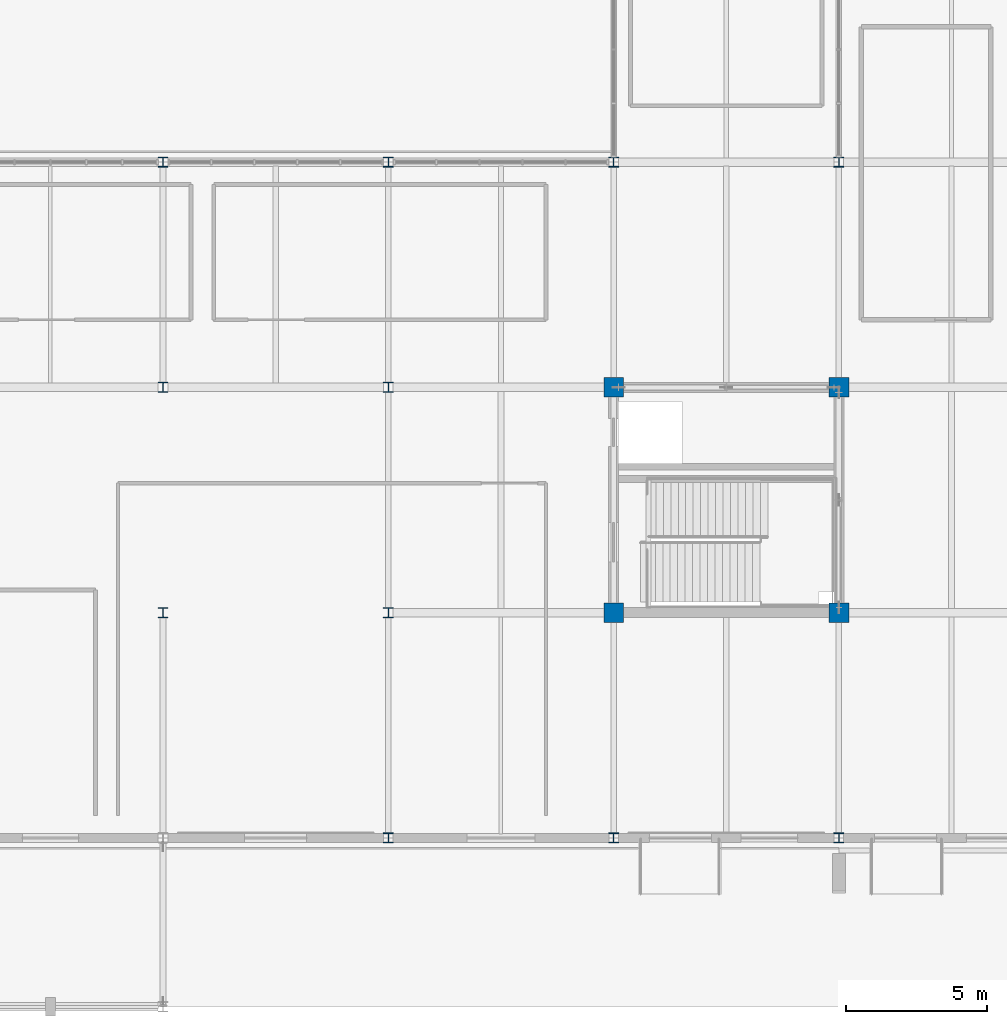
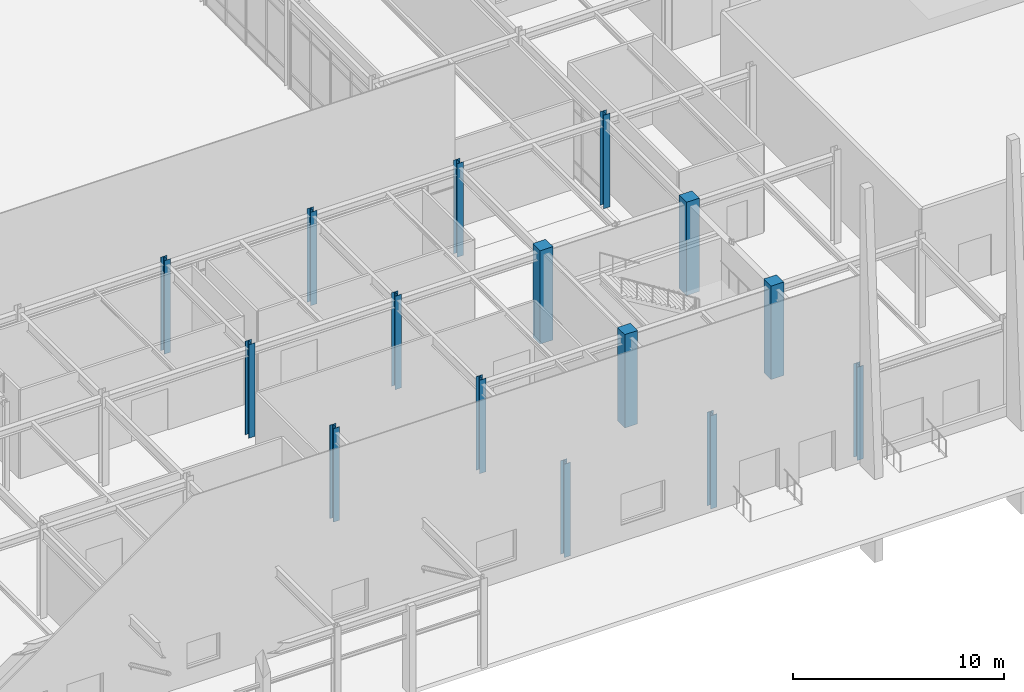
# One storey, part 7 of 119: 15 columns.
"""IFC4 building model written with IfcOpenShell, lengths in metres."""

from ifc_helpers import new_model, si_unit, direction, frame, origin, origin_2d, place, context, subcontext, project, spatial, rectangle, i_section, extrude, material, material_profile, profile_set, type_object, element, save


model = new_model("IFC4")

# Units and contexts
model_context = context("Model", 3, precision=1e-05, world=origin(), true_north=direction((0.0, 1.0)))
body_context = subcontext(model_context, "Body", "Model", "MODEL_VIEW")
ifc_project = project(units=[si_unit("LENGTHUNIT", "METRE"), si_unit("AREAUNIT", "SQUARE_METRE"), si_unit("VOLUMEUNIT", "CUBIC_METRE"), si_unit("PLANEANGLEUNIT", "RADIAN"), si_unit("MASSUNIT", "GRAM", prefix="KILO")], contexts=[model_context])

# Site, building, storey
site_placement = place(None, origin())
site = spatial("IfcSite", under=ifc_project, at=site_placement, CompositionType="ELEMENT")
building_placement = place(site_placement, origin())
building = spatial("IfcBuilding", under=site, at=building_placement, Name="Zhaolan Boulevard Law Courts", CompositionType="ELEMENT")
storey_placement = place(building_placement, origin())
storey = spatial("IfcBuildingStorey", under=building, at=storey_placement, Name="L00", CompositionType="ELEMENT", Elevation=0.0)

# Columns
ifc_material_1 = material(Name="Structural steel Q355B", Category="steel")
ifc_material_profile_1 = material_profile(ifc_material_1, i_section(OverallWidth=0.35009765625, OverallDepth=0.35009765625, WebThickness=0.011962890625, FlangeThickness=0.01904296875, FilletRadius=0.02001953125, at=origin_2d()), Name="HW350x350")
ifc_profile_set_1 = profile_set([ifc_material_profile_1], Name="Structural steel Q355B")
column_type_1 = type_object("IfcColumnType", Name="COL HW350", PredefinedType="COLUMN", material=ifc_profile_set_1)
for number, where, z_axis, x_axis, name in (
    (1, (100.0, 14.0, 0.0), (0.0, 0.0, 1.0), (1.0, 0.0, 0.0), "Column C-13C (L00)"),
    (2, (100.0, 22.0, 0.0), (0.0, 0.0, 1.0), (1.0, 0.0, 0.0), "Column C-13D (L00)"),
    (3, (100.0, 30.0, 0.0), (0.0, 0.0, 1.0), (1.0, 0.0, 0.0), "Column C-13E (L00)"),
    (4, (108.0, 6.0, 0.0), (0.0, 0.0, 1.0), (1.0, 0.0, 0.0), "Column C-14B (L00)"),
    (5, (108.0, 14.0, 0.0), (0.0, 0.0, 1.0), (1.0, 0.0, 0.0), "Column C-14C (L00)"),
    (6, (108.0, 22.0, 0.0), (0.0, 0.0, 1.0), (1.0, 0.0, 0.0), "Column C-14D (L00)"),
    (7, (108.0, 30.0, 0.0), (0.0, 0.0, 1.0), (1.0, 0.0, 0.0), "Column C-14E (L00)"),
    (8, (116.0, 6.0, 0.0), (0.0, 0.0, 1.0), (1.0, 0.0, 0.0), "Column C-15B (L00)"),
    (9, (116.0, 30.0, 0.0), (0.0, 0.0, 1.0), (1.0, 0.0, 0.0), "Column C-15E (L00)"),
    (10, (124.0, 6.0, 0.0), (0.0, 0.0, 1.0), (1.0, 0.0, 0.0), "Column C-16B (L00)"),
    (11, (124.0, 30.0, 0.0), (0.0, 0.0, 1.0), (1.0, 0.0, 0.0), "Column C-16E (L00)"),
):
    element("IfcColumn", number, at=place(storey_placement, frame(where, z_axis=z_axis, x_axis=x_axis)), inside=storey, type_object=column_type_1, Name=name, PredefinedType="COLUMN", context=body_context, shape_type="SweptSolid", body=[
        extrude(i_section(OverallWidth=0.35009765625, OverallDepth=0.35009765625, WebThickness=0.011962890625, FlangeThickness=0.01904296875, FilletRadius=0.02001953125, at=origin_2d()), origin(), (0.0, 0.0, 1.0), 5.39990234375),
    ])
ifc_material_2 = material(Name="Concrete C50", Category="concrete")
ifc_material_profile_2 = material_profile(ifc_material_2, rectangle(XDim=0.699951171875, YDim=0.699951171875, at=origin_2d()), Name="RC700x700")
ifc_profile_set_2 = profile_set([ifc_material_profile_2], Name="Concrete C50")
column_type_2 = type_object("IfcColumnType", Name="COL RC700", PredefinedType="COLUMN", material=ifc_profile_set_2)
for number, where, z_axis, x_axis, name in (
    (12, (116.0, 14.0, 0.0), (0.0, 0.0, 1.0), (1.0, 0.0, 0.0), "Column C-15C (L00)"),
    (13, (116.0, 22.0, 0.0), (0.0, 0.0, 1.0), (1.0, 0.0, 0.0), "Column C-15D (L00)"),
    (14, (124.0, 14.0, 0.0), (0.0, 0.0, 1.0), (1.0, 0.0, 0.0), "Column C-16C (L00)"),
    (15, (124.0, 22.0, 0.0), (0.0, 0.0, 1.0), (1.0, 0.0, 0.0), "Column C-16D (L00)"),
):
    element("IfcColumn", number, at=place(storey_placement, frame(where, z_axis=z_axis, x_axis=x_axis)), inside=storey, type_object=column_type_2, Name=name, PredefinedType="COLUMN", context=body_context, shape_type="SweptSolid", body=[
        extrude(rectangle(XDim=0.699951171875, YDim=0.699951171875, at=origin_2d()), origin(), (0.0, 0.0, 1.0), 5.39990234375),
    ])

save(model, "model.ifc")
